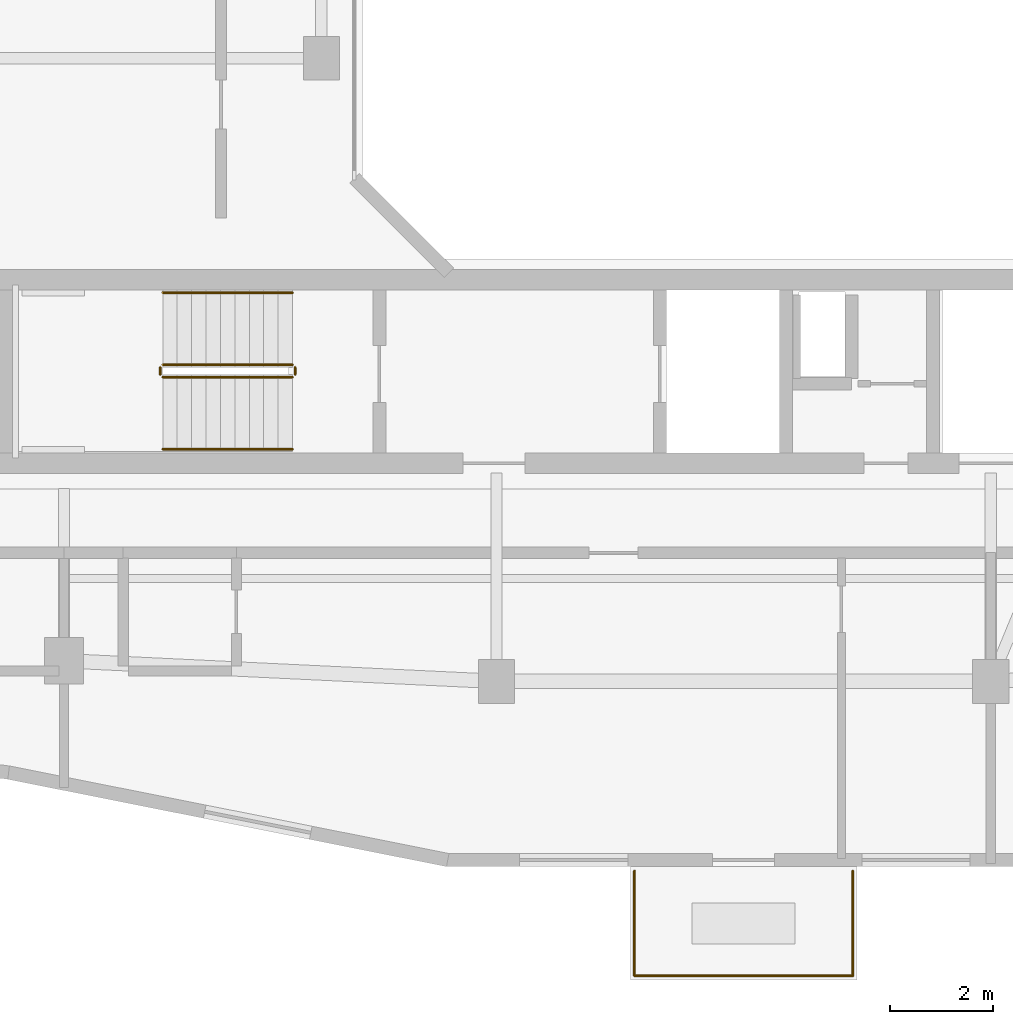
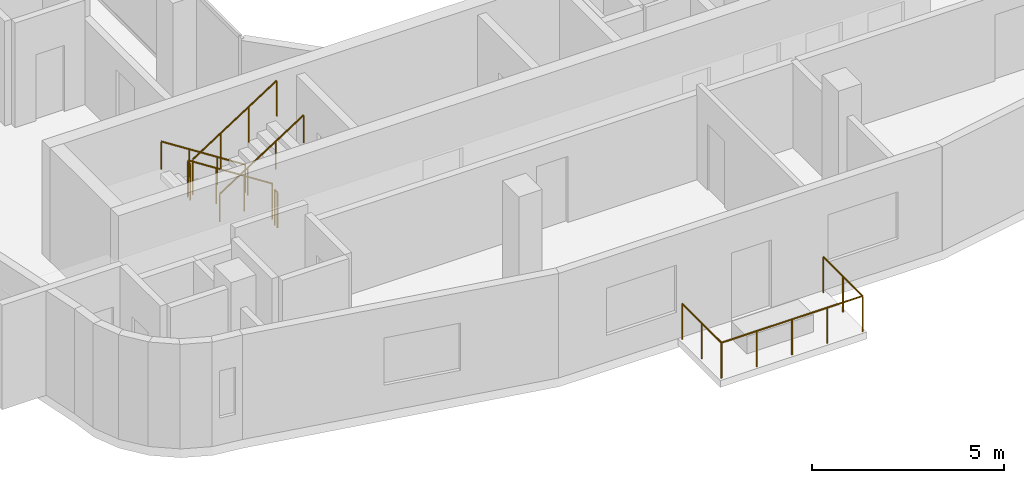
# One storey, part 10 of 13: 9 railings.
"""IFC4 building model written with IfcOpenShell, lengths in metres."""

from ifc_helpers import new_model, si_unit, derived_unit, direction, frame, origin, origin_2d, place, context, subcontext, project, spatial, circle, extrude, material, type_object, element, save


model = new_model("IFC4")

# Units and contexts
model_context = context("Model", 3, precision=1e-05, world=origin(), true_north=direction((0.0, 1.0)))
body_context = subcontext(model_context, "Body", "Model", "MODEL_VIEW")
ifc_project = project(units=[si_unit("LENGTHUNIT", "METRE"), si_unit("AREAUNIT", "SQUARE_METRE"), si_unit("VOLUMEUNIT", "CUBIC_METRE"), si_unit("PLANEANGLEUNIT", "RADIAN"), si_unit("MASSUNIT", "GRAM", prefix="KILO"), derived_unit("THERMALTRANSMITTANCEUNIT", [(si_unit("POWERUNIT", "WATT"), 1), (si_unit("LENGTHUNIT", "METRE"), -2), (si_unit("THERMODYNAMICTEMPERATUREUNIT", "KELVIN"), -1)])], contexts=[model_context])

# Site, building, storey
site_placement = place(None, origin())
site = spatial("IfcSite", under=ifc_project, at=site_placement, CompositionType="ELEMENT")
building_placement = place(site_placement, origin())
building = spatial("IfcBuilding", under=site, at=building_placement, Name="Kivonza Crest Hotel", CompositionType="ELEMENT")
storey_placement = place(building_placement, frame((0.0, 0.0, 220.699951171875)))
storey = spatial("IfcBuildingStorey", under=building, at=storey_placement, Name="L60", CompositionType="ELEMENT", Elevation=220.699951171875)

# Railings
ifc_material_1 = material(Name="Brushed stainless steel handrail", Category="steel")
railing_type_1 = type_object("IfcRailingType", Name="RL-HAND-900", PredefinedType="HANDRAIL", material=ifc_material_1)
railing_1_placement = place(storey_placement, frame((12.239990234375, 16.949951171875, 0.179931640625)))
element("IfcRailing", 1, at=railing_1_placement, inside=storey, type_object=railing_type_1, Name="L60 ST-T1-S stair handrail 1", PredefinedType="HANDRAIL", context=body_context, shape_type="SweptSolid", body=[
    extrude(circle(Radius=0.02392578125, at=origin_2d()), frame((0.0, 0.0, 0.8759765625), z_axis=(-0.841162588446, 0.0, 0.540782303519), x_axis=(0.0, -1.0, 0.0)), (0.0, 0.0, 1.0), 2.995849609375),
    extrude(circle(Radius=0.02099609375, at=origin_2d()), origin(), (0.0, 0.0, 1.0), 0.851806640625),
    extrude(circle(Radius=0.02099609375, at=origin_2d()), frame((-0.840087890625, 0.0, 0.5400390625)), (0.0, 0.0, 1.0), 0.851806640625),
    extrude(circle(Radius=0.02099609375, at=origin_2d()), frame((-1.679931640625, 0.0, 1.080078125)), (0.0, 0.0, 1.0), 0.851806640625),
    extrude(circle(Radius=0.02099609375, at=origin_2d()), frame((-2.52001953125, 0.0, 1.6201171875)), (0.0, 0.0, 1.0), 0.851806640625),
])
railing_2_placement = place(storey_placement, frame((9.719970703125, 13.909912109375, 1.97998046875)))
element("IfcRailing", 2, at=railing_2_placement, inside=storey, type_object=railing_type_1, Name="L60 ST-T1-S stair handrail 2", PredefinedType="HANDRAIL", context=body_context, shape_type="SweptSolid", body=[
    extrude(circle(Radius=0.02392578125, at=origin_2d()), frame((0.0, 0.0, 0.8759765625), z_axis=(0.841162588446, 0.0, 0.540782303519), x_axis=(0.0, 1.0, 0.0)), (0.0, 0.0, 1.0), 2.995849609375),
    extrude(circle(Radius=0.02099609375, at=origin_2d()), origin(), (0.0, 0.0, 1.0), 0.851806640625),
    extrude(circle(Radius=0.02099609375, at=origin_2d()), frame((0.840087890625, 0.0, 0.5400390625)), (0.0, 0.0, 1.0), 0.851806640625),
    extrude(circle(Radius=0.02099609375, at=origin_2d()), frame((1.679931640625, 0.0, 1.080078125)), (0.0, 0.0, 1.0), 0.851806640625),
    extrude(circle(Radius=0.02099609375, at=origin_2d()), frame((2.52001953125, 0.0, 1.6201171875)), (0.0, 0.0, 1.0), 0.851806640625),
])
ifc_material_2 = material(Name="Painted steel balustrade", Category="steel")
railing_type_2 = type_object("IfcRailingType", Name="RL-STAIR-1150", PredefinedType="BALUSTRADE", material=ifc_material_2)
railing_3_placement = place(storey_placement, frame((12.239990234375, 15.550048828125, 0.179931640625)))
element("IfcRailing", 3, at=railing_3_placement, inside=storey, type_object=railing_type_2, Name="L60 ST-T1-S stair guard 1", PredefinedType="BALUSTRADE", context=body_context, shape_type="SweptSolid", body=[
    extrude(circle(Radius=0.02392578125, at=origin_2d()), frame((0.0, 0.0, 1.1259765625), z_axis=(-0.841162588446, 0.0, 0.540782303519), x_axis=(0.0, -1.0, 0.0)), (0.0, 0.0, 1.0), 2.995849609375),
    extrude(circle(Radius=0.02099609375, at=origin_2d()), origin(), (0.0, 0.0, 1.0), 1.101806640625),
    extrude(circle(Radius=0.02099609375, at=origin_2d()), frame((-0.840087890625, 0.0, 0.5400390625)), (0.0, 0.0, 1.0), 1.101806640625),
    extrude(circle(Radius=0.02099609375, at=origin_2d()), frame((-1.679931640625, 0.0, 1.080078125)), (0.0, 0.0, 1.0), 1.101806640625),
    extrude(circle(Radius=0.02099609375, at=origin_2d()), frame((-2.52001953125, 0.0, 1.6201171875)), (0.0, 0.0, 1.0), 1.101806640625),
])
railing_4_placement = place(storey_placement, frame((9.669921875, 15.5, 1.800048828125)))
element("IfcRailing", 4, at=railing_4_placement, inside=storey, type_object=railing_type_2, Name="L60 ST-T1-S stair guard 2", PredefinedType="BALUSTRADE", context=body_context, shape_type="SweptSolid", body=[
    extrude(circle(Radius=0.02392578125, at=origin_2d()), frame((0.0, 0.0, 1.1259765625), z_axis=(0.0, -1.0, 0.0), x_axis=(1.0, 0.0, 0.0)), (0.0, 0.0, 1.0), 0.139892578125),
    extrude(circle(Radius=0.02099609375, at=origin_2d()), origin(), (0.0, 0.0, 1.0), 1.101806640625),
    extrude(circle(Radius=0.02099609375, at=origin_2d()), frame((0.0, -0.139892578125, 0.0)), (0.0, 0.0, 1.0), 1.101806640625),
])
railing_5_placement = place(storey_placement, frame((9.719970703125, 15.31005859375, 1.97998046875)))
element("IfcRailing", 5, at=railing_5_placement, inside=storey, type_object=railing_type_2, Name="L60 ST-T1-S stair guard 3", PredefinedType="BALUSTRADE", context=body_context, shape_type="SweptSolid", body=[
    extrude(circle(Radius=0.02392578125, at=origin_2d()), frame((0.0, 0.0, 1.1259765625), z_axis=(0.841162588446, 0.0, 0.540782303519), x_axis=(0.0, 1.0, 0.0)), (0.0, 0.0, 1.0), 2.995849609375),
    extrude(circle(Radius=0.02099609375, at=origin_2d()), origin(), (0.0, 0.0, 1.0), 1.101806640625),
    extrude(circle(Radius=0.02099609375, at=origin_2d()), frame((0.840087890625, 0.0, 0.5400390625)), (0.0, 0.0, 1.0), 1.101806640625),
    extrude(circle(Radius=0.02099609375, at=origin_2d()), frame((1.679931640625, 0.0, 1.080078125)), (0.0, 0.0, 1.0), 1.101806640625),
    extrude(circle(Radius=0.02099609375, at=origin_2d()), frame((2.52001953125, 0.0, 1.6201171875)), (0.0, 0.0, 1.0), 1.101806640625),
])
railing_6_placement = place(storey_placement, frame((12.2900390625, 15.5, 0.0)))
element("IfcRailing", 6, at=railing_6_placement, inside=storey, type_object=railing_type_2, Name="L60 ST-T1-S stair guard 4", PredefinedType="BALUSTRADE", context=body_context, shape_type="SweptSolid", body=[
    extrude(circle(Radius=0.02392578125, at=origin_2d()), frame((0.0, 0.0, 1.1259765625), z_axis=(0.0, -1.0, 0.0), x_axis=(1.0, 0.0, 0.0)), (0.0, 0.0, 1.0), 0.139892578125),
    extrude(circle(Radius=0.02099609375, at=origin_2d()), origin(), (0.0, 0.0, 1.0), 1.101806640625),
    extrude(circle(Radius=0.02099609375, at=origin_2d()), frame((0.0, -0.139892578125, 0.0)), (0.0, 0.0, 1.0), 1.101806640625),
])
ifc_material_3 = material(Name="Laminated glass and stainless steel balustrade", Category="steel")
railing_type_3 = type_object("IfcRailingType", Name="RL-TERR-1150", PredefinedType="BALUSTRADE", material=ifc_material_3)
railing_7_placement = place(storey_placement, frame((18.8798828125, 3.679931640625, 0.0)))
element("IfcRailing", 7, at=railing_7_placement, inside=storey, type_object=railing_type_3, Name="L60 T1-L60-SG-SW perimeter safety balustrade 1", PredefinedType="BALUSTRADE", context=body_context, shape_type="SweptSolid", body=[
    extrude(circle(Radius=0.02392578125, at=origin_2d()), frame((0.0, 0.0, 1.1259765625), z_axis=(0.0, 1.0, 0.0), x_axis=(-1.0, 0.0, 0.0)), (0.0, 0.0, 1.0), 2.0400390625),
    extrude(circle(Radius=0.02099609375, at=origin_2d()), origin(), (0.0, 0.0, 1.0), 1.101806640625),
    extrude(circle(Radius=0.02099609375, at=origin_2d()), frame((0.0, 1.02001953125, 0.0)), (0.0, 0.0, 1.0), 1.101806640625),
    extrude(circle(Radius=0.02099609375, at=origin_2d()), frame((0.0, 2.0400390625, 0.0)), (0.0, 0.0, 1.0), 1.101806640625),
])
railing_8_placement = place(storey_placement, frame((23.1201171875, 5.719970703125, 0.0)))
element("IfcRailing", 8, at=railing_8_placement, inside=storey, type_object=railing_type_3, Name="L60 T1-L60-SG-SW perimeter safety balustrade 2", PredefinedType="BALUSTRADE", context=body_context, shape_type="SweptSolid", body=[
    extrude(circle(Radius=0.02392578125, at=origin_2d()), frame((0.0, 0.0, 1.1259765625), z_axis=(0.0, -1.0, 0.0), x_axis=(1.0, 0.0, 0.0)), (0.0, 0.0, 1.0), 2.0400390625),
    extrude(circle(Radius=0.02099609375, at=origin_2d()), origin(), (0.0, 0.0, 1.0), 1.101806640625),
    extrude(circle(Radius=0.02099609375, at=origin_2d()), frame((0.0, -1.02001953125, 0.0)), (0.0, 0.0, 1.0), 1.101806640625),
    extrude(circle(Radius=0.02099609375, at=origin_2d()), frame((0.0, -2.0400390625, 0.0)), (0.0, 0.0, 1.0), 1.101806640625),
])
railing_9_placement = place(storey_placement, frame((23.1201171875, 3.679931640625, 0.0)))
element("IfcRailing", 9, at=railing_9_placement, inside=storey, type_object=railing_type_3, Name="L60 T1-L60-SG-SW perimeter safety balustrade 3", PredefinedType="BALUSTRADE", context=body_context, shape_type="SweptSolid", body=[
    extrude(circle(Radius=0.02392578125, at=origin_2d()), frame((0.0, 0.0, 1.1259765625), z_axis=(-1.0, 0.0, 0.0), x_axis=(0.0, -1.0, 0.0)), (0.0, 0.0, 1.0), 4.240234375),
    extrude(circle(Radius=0.02099609375, at=origin_2d()), origin(), (0.0, 0.0, 1.0), 1.101806640625),
    extrude(circle(Radius=0.02099609375, at=origin_2d()), frame((-1.06005859375, 0.0, 0.0)), (0.0, 0.0, 1.0), 1.101806640625),
    extrude(circle(Radius=0.02099609375, at=origin_2d()), frame((-2.1201171875, 0.0, 0.0)), (0.0, 0.0, 1.0), 1.101806640625),
    extrude(circle(Radius=0.02099609375, at=origin_2d()), frame((-3.18017578125, 0.0, 0.0)), (0.0, 0.0, 1.0), 1.101806640625),
    extrude(circle(Radius=0.02099609375, at=origin_2d()), frame((-4.240234375, 0.0, 0.0)), (0.0, 0.0, 1.0), 1.101806640625),
])

save(model, "model.ifc")
